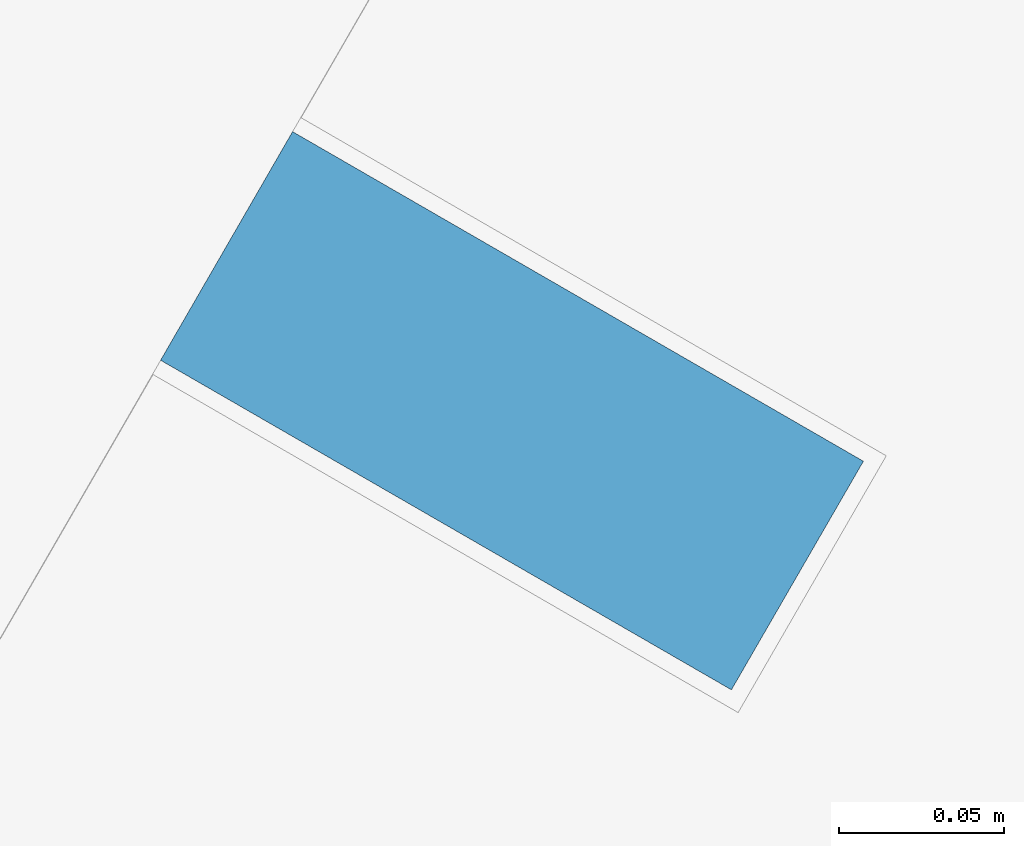
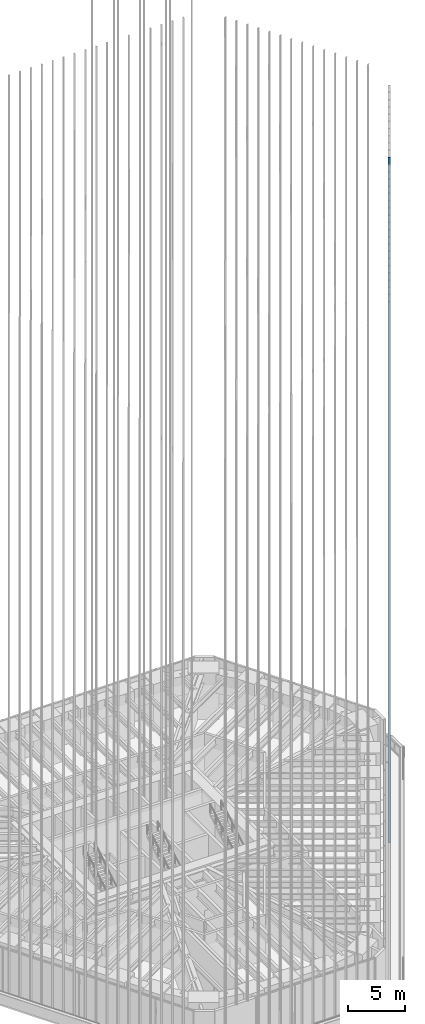
# One storey, part 111 of 228: 1 member, 1 element without a shape of its own.
"""IFC4 building model written with IfcOpenShell, lengths in metres."""

from ifc_helpers import new_model, si_unit, direction, frame, origin, origin_2d, place, context, subcontext, project, spatial, rectangle, extrude, material, material_profile, profile_set, type_object, element, aggregate, save


model = new_model("IFC4")

# Units and contexts
model_context = context("Model", 3, precision=1e-05, world=origin(), true_north=direction((0.0, 1.0)))
body_context = subcontext(model_context, "Body", "Model", "MODEL_VIEW")
ifc_project = project(units=[si_unit("LENGTHUNIT", "METRE"), si_unit("AREAUNIT", "SQUARE_METRE"), si_unit("VOLUMEUNIT", "CUBIC_METRE"), si_unit("PLANEANGLEUNIT", "RADIAN"), si_unit("MASSUNIT", "GRAM", prefix="KILO")], contexts=[model_context])

# Site, building, storey
site_placement = place(None, origin())
site = spatial("IfcSite", under=ifc_project, at=site_placement, CompositionType="ELEMENT")
building_placement = place(site_placement, origin())
building = spatial("IfcBuilding", under=site, at=building_placement, Name="Sandreach Pilgrim Tower", CompositionType="ELEMENT")
storey_placement = place(building_placement, frame((0.0, 0.0, 178.199951171875)))
storey = spatial("IfcBuildingStorey", under=building, at=storey_placement, Name="L44", CompositionType="ELEMENT", Elevation=178.199951171875)

# Curtain wall, member
ifc_material_1 = material(Name="Aluminium framed curtain wall", Category="aluminium")
curtain_wall_type = type_object("IfcCurtainWallType", Name="Upper hotel tower curtain wall", PredefinedType="NOTDEFINED", material=ifc_material_1)
curtain_wall_placement = place(storey_placement, origin())
curtain_wall = element("IfcCurtainWall", 1, at=curtain_wall_placement, inside=storey, type_object=curtain_wall_type, Name="CW-3 L44 SE", PredefinedType="NOTDEFINED")
ifc_material_2 = material(Name="Extruded terracotta on aluminium core", Category="masonry")
ifc_material_profile = material_profile(ifc_material_2, rectangle(XDim=0.080078125, YDim=0.199951171875, at=origin_2d()), Name="TBE 80X200")
ifc_profile_set = profile_set([ifc_material_profile], Name="Extruded terracotta on aluminium core")
member_type = type_object("IfcMemberType", Name="Terracotta baguette east", PredefinedType="USERDEFINED", material=ifc_profile_set)
member_placement = place(storey_placement, frame((21.4248046875, -6.01123046875, 0.0), z_axis=(0.0, 0.0, 1.0), x_axis=(-0.5, -0.866025403784, 0.0)))
member = element("IfcMember", 2, at=member_placement, type_object=member_type, Name="Baguette Z3 SE11", ObjectType="BAGUETTE", PredefinedType="USERDEFINED", context=body_context, shape_type="SweptSolid", body=[
    extrude(rectangle(XDim=0.080078125, YDim=0.199951171875, at=origin_2d()), origin(), (0.0, 0.0, 1.0), 73.239990234375),
])
aggregate(curtain_wall, [member])

save(model, "model.ifc")
